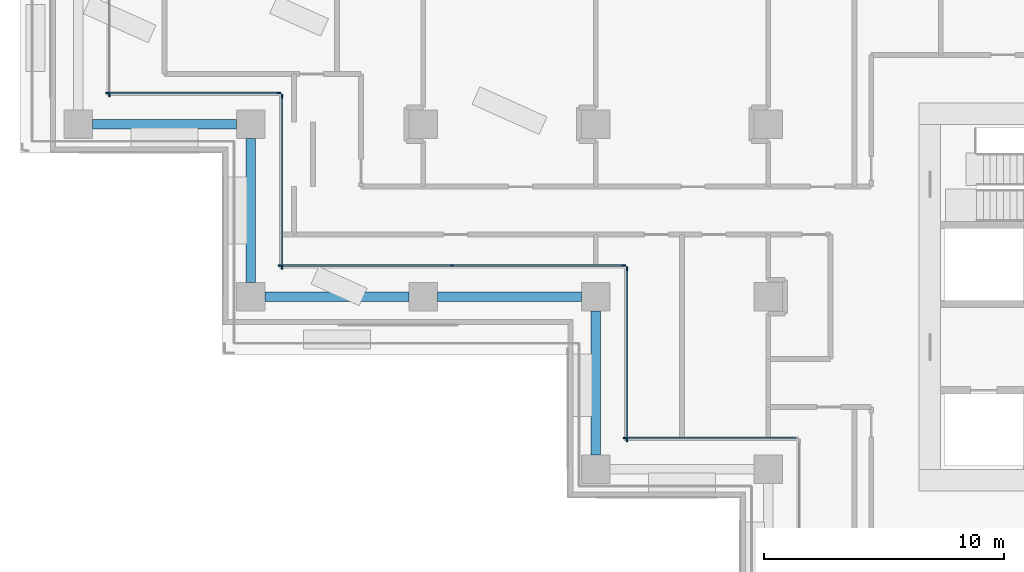
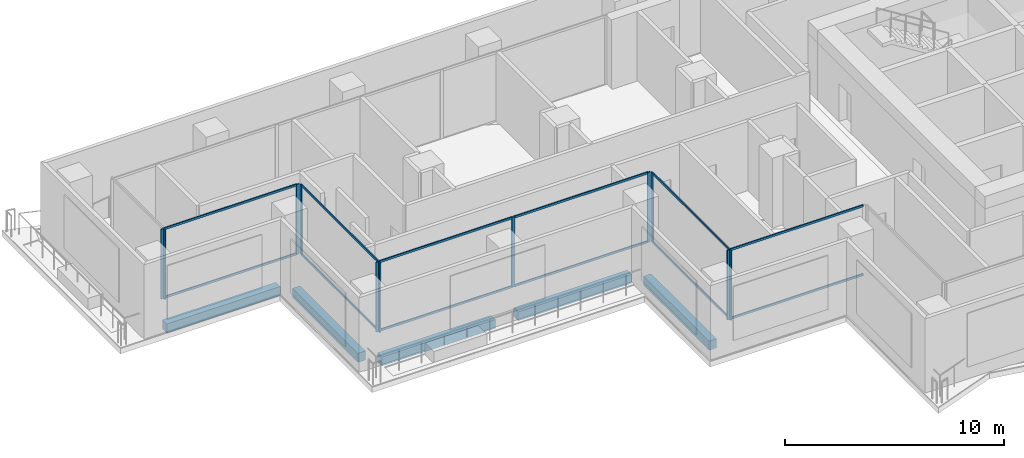
# One storey, part 4 of 24: 23 members, 5 beams, 6 elements without a shape of their own.
"""IFC4 building model written with IfcOpenShell, lengths in metres."""

from ifc_helpers import new_model, si_unit, direction, frame, origin, origin_2d, place, context, subcontext, project, spatial, rectangle, extrude, material, material_profile, profile_set, type_object, element, aggregate, save


model = new_model("IFC4")

# Units and contexts
model_context = context("Model", 3, precision=1e-05, world=origin(), true_north=direction((0.0, 1.0)))
body_context = subcontext(model_context, "Body", "Model", "MODEL_VIEW")
ifc_project = project(units=[si_unit("LENGTHUNIT", "METRE"), si_unit("AREAUNIT", "SQUARE_METRE"), si_unit("VOLUMEUNIT", "CUBIC_METRE"), si_unit("PLANEANGLEUNIT", "RADIAN"), si_unit("MASSUNIT", "GRAM", prefix="KILO")], contexts=[model_context])

# Site, building, storey
site_placement = place(None, origin())
site = spatial("IfcSite", under=ifc_project, at=site_placement, CompositionType="ELEMENT")
building_placement = place(site_placement, origin())
building = spatial("IfcBuilding", under=site, at=building_placement, Name="Windrow Commons", CompositionType="ELEMENT")
storey_placement = place(building_placement, frame((0.0, 0.0, 67.8)))
storey = spatial("IfcBuildingStorey", under=building, at=storey_placement, Name="L18", CompositionType="ELEMENT", Elevation=67.8)

# Curtain wall, member
ifc_material_1 = material(Name="Clear laminated glass in Aluminium 6063-T6 anodised frame", Category="aluminium")
curtain_wall_type = type_object("IfcCurtainWallType", Name="Curtain wall CW2 sky lounge", PredefinedType="USERDEFINED", material=ifc_material_1)
placement = place(storey_placement, origin())
curtain_wall_1 = element("IfcCurtainWall", 1, at=placement, inside=storey, type_object=curtain_wall_type, Name="Curtain wall CW2 L18 5", ObjectType="UNITISED", PredefinedType="USERDEFINED")
ifc_material_2 = material(Name="Aluminium 6063-T6", Category="aluminium")
ifc_material_profile_1 = material_profile(ifc_material_2, rectangle(XDim=0.06, YDim=0.16, at=origin_2d()))
ifc_profile_set_1 = profile_set([ifc_material_profile_1], Name="Aluminium 6063-T6")
member_type_1 = type_object("IfcMemberType", Name="CW2 mullion 60x160", PredefinedType="MULLION", material=ifc_profile_set_1)
member_1_placement = place(storey_placement, frame((22.9, 66.03, 0.0), z_axis=(0.0, 0.0, 1.0), x_axis=(1.0, 0.0, 0.0)))
member_1 = element("IfcMember", 2, at=member_1_placement, type_object=member_type_1, Name="CW2 mullion 2", PredefinedType="MULLION", context=body_context, shape_type="SweptSolid", body=[
    extrude(rectangle(XDim=0.06, YDim=0.16, at=origin_2d()), origin(), (0.0, 0.0, 1.0), 3.9),
])
aggregate(curtain_wall_1, [member_1])

# Curtain wall, members
curtain_wall_2 = element("IfcCurtainWall", 3, at=placement, inside=storey, type_object=curtain_wall_type, Name="Curtain wall CW2 L18 6", ObjectType="UNITISED", PredefinedType="USERDEFINED")
member_2_placement = place(storey_placement, frame((22.83, 66.1, 0.0), z_axis=(0.0, 0.0, 1.0), x_axis=(0.0, 1.0, 0.0)))
member_2 = element("IfcMember", 4, at=member_2_placement, type_object=member_type_1, Name="CW2 mullion 1", PredefinedType="MULLION", context=body_context, shape_type="SweptSolid", body=[
    extrude(rectangle(XDim=0.06, YDim=0.16, at=origin_2d()), origin(), (0.0, 0.0, 1.0), 3.9),
])
member_3_placement = place(storey_placement, frame((29.97, 66.1, 0.0), z_axis=(0.0, 0.0, 1.0), x_axis=(0.0, 1.0, 0.0)))
member_3 = element("IfcMember", 5, at=member_3_placement, type_object=member_type_1, Name="CW2 mullion 2", PredefinedType="MULLION", context=body_context, shape_type="SweptSolid", body=[
    extrude(rectangle(XDim=0.06, YDim=0.16, at=origin_2d()), origin(), (0.0, 0.0, 1.0), 3.9),
])

curtain_wall_3 = element("IfcCurtainWall", 6, at=placement, inside=storey, type_object=curtain_wall_type, Name="Curtain wall CW2 L18 7", ObjectType="UNITISED", PredefinedType="USERDEFINED")
member_4_placement = place(storey_placement, frame((30.1, 65.97, 0.0), z_axis=(0.0, 0.0, 1.0), x_axis=(1.0, 0.0, 0.0)))
member_4 = element("IfcMember", 7, at=member_4_placement, type_object=member_type_1, Name="CW2 mullion 1", PredefinedType="MULLION", context=body_context, shape_type="SweptSolid", body=[
    extrude(rectangle(XDim=0.06, YDim=0.16, at=origin_2d()), origin(), (0.0, 0.0, 1.0), 3.9),
])
member_5_placement = place(storey_placement, frame((30.1, 58.83, 0.0), z_axis=(0.0, 0.0, 1.0), x_axis=(1.0, 0.0, 0.0)))
member_5 = element("IfcMember", 8, at=member_5_placement, type_object=member_type_1, Name="CW2 mullion 2", PredefinedType="MULLION", context=body_context, shape_type="SweptSolid", body=[
    extrude(rectangle(XDim=0.06, YDim=0.16, at=origin_2d()), origin(), (0.0, 0.0, 1.0), 3.9),
])

curtain_wall_4 = element("IfcCurtainWall", 9, at=placement, inside=storey, type_object=curtain_wall_type, Name="Curtain wall CW2 L18 8", ObjectType="UNITISED", PredefinedType="USERDEFINED")
member_6_placement = place(storey_placement, frame((30.03, 58.9, 0.0), z_axis=(0.0, 0.0, 1.0), x_axis=(0.0, 1.0, 0.0)))
member_6 = element("IfcMember", 10, at=member_6_placement, type_object=member_type_1, Name="CW2 mullion 1", PredefinedType="MULLION", context=body_context, shape_type="SweptSolid", body=[
    extrude(rectangle(XDim=0.06, YDim=0.16, at=origin_2d()), origin(), (0.0, 0.0, 1.0), 3.9),
])
member_7_placement = place(storey_placement, frame((37.2, 58.9, 0.0), z_axis=(0.0, 0.0, 1.0), x_axis=(0.0, 1.0, 0.0)))
member_7 = element("IfcMember", 11, at=member_7_placement, type_object=member_type_1, Name="CW2 mullion 2", PredefinedType="MULLION", context=body_context, shape_type="SweptSolid", body=[
    extrude(rectangle(XDim=0.06, YDim=0.16, at=origin_2d()), origin(), (0.0, 0.0, 1.0), 3.9),
])
member_8_placement = place(storey_placement, frame((44.37, 58.9, 0.0), z_axis=(0.0, 0.0, 1.0), x_axis=(0.0, 1.0, 0.0)))
member_8 = element("IfcMember", 12, at=member_8_placement, type_object=member_type_1, Name="CW2 mullion 3", PredefinedType="MULLION", context=body_context, shape_type="SweptSolid", body=[
    extrude(rectangle(XDim=0.06, YDim=0.16, at=origin_2d()), origin(), (0.0, 0.0, 1.0), 3.9),
])

curtain_wall_5 = element("IfcCurtainWall", 13, at=placement, inside=storey, type_object=curtain_wall_type, Name="Curtain wall CW2 L18 9", ObjectType="UNITISED", PredefinedType="USERDEFINED")
member_9_placement = place(storey_placement, frame((44.5, 58.77, 0.0), z_axis=(0.0, 0.0, 1.0), x_axis=(1.0, 0.0, 0.0)))
member_9 = element("IfcMember", 14, at=member_9_placement, type_object=member_type_1, Name="CW2 mullion 1", PredefinedType="MULLION", context=body_context, shape_type="SweptSolid", body=[
    extrude(rectangle(XDim=0.06, YDim=0.16, at=origin_2d()), origin(), (0.0, 0.0, 1.0), 3.9),
])
member_10_placement = place(storey_placement, frame((44.5, 51.63, 0.0), z_axis=(0.0, 0.0, 1.0), x_axis=(1.0, 0.0, 0.0)))
member_10 = element("IfcMember", 15, at=member_10_placement, type_object=member_type_1, Name="CW2 mullion 2", PredefinedType="MULLION", context=body_context, shape_type="SweptSolid", body=[
    extrude(rectangle(XDim=0.06, YDim=0.16, at=origin_2d()), origin(), (0.0, 0.0, 1.0), 3.9),
])

# Curtain wall, member
curtain_wall_6 = element("IfcCurtainWall", 16, at=placement, inside=storey, type_object=curtain_wall_type, Name="Curtain wall CW2 L18 10", ObjectType="UNITISED", PredefinedType="USERDEFINED")
member_11_placement = place(storey_placement, frame((44.43, 51.7, 0.0), z_axis=(0.0, 0.0, 1.0), x_axis=(0.0, 1.0, 0.0)))
member_11 = element("IfcMember", 17, at=member_11_placement, type_object=member_type_1, Name="CW2 mullion 1", PredefinedType="MULLION", context=body_context, shape_type="SweptSolid", body=[
    extrude(rectangle(XDim=0.06, YDim=0.16, at=origin_2d()), origin(), (0.0, 0.0, 1.0), 3.9),
])

# Member
ifc_material_3 = material(Name="Aluminium 6063-T6", Category="aluminium")
ifc_material_profile_2 = material_profile(ifc_material_3, rectangle(XDim=0.06, YDim=0.12, at=origin_2d()))
ifc_profile_set_2 = profile_set([ifc_material_profile_2], Name="Aluminium 6063-T6")
member_type_2 = type_object("IfcMemberType", Name="CW2 transom 60x120", PredefinedType="USERDEFINED", material=ifc_profile_set_2)
member_12_placement = place(storey_placement, frame((22.86, 66.1, 0.03), z_axis=(1.0, 0.0, 0.0), x_axis=(0.0, 1.0, 0.0)))
member_12 = element("IfcMember", 18, at=member_12_placement, type_object=member_type_2, Name="CW2 transom 1.1", ObjectType="TRANSOM", PredefinedType="USERDEFINED", context=body_context, shape_type="SweptSolid", body=[
    extrude(rectangle(XDim=0.06, YDim=0.12, at=origin_2d()), origin(), (0.0, 0.0, 1.0), 7.08),
])

member_13_placement = place(storey_placement, frame((22.86, 66.1, 3.87), z_axis=(1.0, 0.0, 0.0), x_axis=(0.0, 1.0, 0.0)))
member_13 = element("IfcMember", 19, at=member_13_placement, type_object=member_type_2, Name="CW2 transom 1.2", ObjectType="TRANSOM", PredefinedType="USERDEFINED", context=body_context, shape_type="SweptSolid", body=[
    extrude(rectangle(XDim=0.06, YDim=0.12, at=origin_2d()), origin(), (0.0, 0.0, 1.0), 7.08),
])

aggregate(curtain_wall_2, [member_2, member_3, member_12, member_13])

member_14_placement = place(storey_placement, frame((30.1, 65.94, 0.03), z_axis=(0.0, -1.0, 0.0), x_axis=(1.0, 0.0, 0.0)))
member_14 = element("IfcMember", 20, at=member_14_placement, type_object=member_type_2, Name="CW2 transom 1.1", ObjectType="TRANSOM", PredefinedType="USERDEFINED", context=body_context, shape_type="SweptSolid", body=[
    extrude(rectangle(XDim=0.06, YDim=0.12, at=origin_2d()), origin(), (0.0, 0.0, 1.0), 7.08),
])

member_15_placement = place(storey_placement, frame((30.1, 65.94, 3.87), z_axis=(0.0, -1.0, 0.0), x_axis=(1.0, 0.0, 0.0)))
member_15 = element("IfcMember", 21, at=member_15_placement, type_object=member_type_2, Name="CW2 transom 1.2", ObjectType="TRANSOM", PredefinedType="USERDEFINED", context=body_context, shape_type="SweptSolid", body=[
    extrude(rectangle(XDim=0.06, YDim=0.12, at=origin_2d()), origin(), (0.0, 0.0, 1.0), 7.08),
])

aggregate(curtain_wall_3, [member_4, member_5, member_14, member_15])

member_16_placement = place(storey_placement, frame((30.06, 58.9, 0.03), z_axis=(1.0, 0.0, 0.0), x_axis=(0.0, 1.0, 0.0)))
member_16 = element("IfcMember", 22, at=member_16_placement, type_object=member_type_2, Name="CW2 transom 1.1", ObjectType="TRANSOM", PredefinedType="USERDEFINED", context=body_context, shape_type="SweptSolid", body=[
    extrude(rectangle(XDim=0.06, YDim=0.12, at=origin_2d()), origin(), (0.0, 0.0, 1.0), 7.11),
])

member_17_placement = place(storey_placement, frame((30.06, 58.9, 3.87), z_axis=(1.0, 0.0, 0.0), x_axis=(0.0, 1.0, 0.0)))
member_17 = element("IfcMember", 23, at=member_17_placement, type_object=member_type_2, Name="CW2 transom 1.2", ObjectType="TRANSOM", PredefinedType="USERDEFINED", context=body_context, shape_type="SweptSolid", body=[
    extrude(rectangle(XDim=0.06, YDim=0.12, at=origin_2d()), origin(), (0.0, 0.0, 1.0), 7.11),
])

member_18_placement = place(storey_placement, frame((37.23, 58.9, 0.03), z_axis=(1.0, 0.0, 0.0), x_axis=(0.0, 1.0, 0.0)))
member_18 = element("IfcMember", 24, at=member_18_placement, type_object=member_type_2, Name="CW2 transom 2.1", ObjectType="TRANSOM", PredefinedType="USERDEFINED", context=body_context, shape_type="SweptSolid", body=[
    extrude(rectangle(XDim=0.06, YDim=0.12, at=origin_2d()), origin(), (0.0, 0.0, 1.0), 7.11),
])

member_19_placement = place(storey_placement, frame((37.23, 58.9, 3.87), z_axis=(1.0, 0.0, 0.0), x_axis=(0.0, 1.0, 0.0)))
member_19 = element("IfcMember", 25, at=member_19_placement, type_object=member_type_2, Name="CW2 transom 2.2", ObjectType="TRANSOM", PredefinedType="USERDEFINED", context=body_context, shape_type="SweptSolid", body=[
    extrude(rectangle(XDim=0.06, YDim=0.12, at=origin_2d()), origin(), (0.0, 0.0, 1.0), 7.11),
])

aggregate(curtain_wall_4, [member_6, member_7, member_8, member_16, member_17, member_18, member_19])

member_20_placement = place(storey_placement, frame((44.5, 58.74, 0.03), z_axis=(0.0, -1.0, 0.0), x_axis=(1.0, 0.0, 0.0)))
member_20 = element("IfcMember", 26, at=member_20_placement, type_object=member_type_2, Name="CW2 transom 1.1", ObjectType="TRANSOM", PredefinedType="USERDEFINED", context=body_context, shape_type="SweptSolid", body=[
    extrude(rectangle(XDim=0.06, YDim=0.12, at=origin_2d()), origin(), (0.0, 0.0, 1.0), 7.08),
])

member_21_placement = place(storey_placement, frame((44.5, 58.74, 3.87), z_axis=(0.0, -1.0, 0.0), x_axis=(1.0, 0.0, 0.0)))
member_21 = element("IfcMember", 27, at=member_21_placement, type_object=member_type_2, Name="CW2 transom 1.2", ObjectType="TRANSOM", PredefinedType="USERDEFINED", context=body_context, shape_type="SweptSolid", body=[
    extrude(rectangle(XDim=0.06, YDim=0.12, at=origin_2d()), origin(), (0.0, 0.0, 1.0), 7.08),
])

aggregate(curtain_wall_5, [member_9, member_10, member_20, member_21])

member_22_placement = place(storey_placement, frame((44.46, 51.7, 0.03), z_axis=(1.0, 0.0, 0.0), x_axis=(0.0, 1.0, 0.0)))
member_22 = element("IfcMember", 28, at=member_22_placement, type_object=member_type_2, Name="CW2 transom 1.1", ObjectType="TRANSOM", PredefinedType="USERDEFINED", context=body_context, shape_type="SweptSolid", body=[
    extrude(rectangle(XDim=0.06, YDim=0.12, at=origin_2d()), origin(), (0.0, 0.0, 1.0), 7.08),
])

member_23_placement = place(storey_placement, frame((44.46, 51.7, 3.87), z_axis=(1.0, 0.0, 0.0), x_axis=(0.0, 1.0, 0.0)))
member_23 = element("IfcMember", 29, at=member_23_placement, type_object=member_type_2, Name="CW2 transom 1.2", ObjectType="TRANSOM", PredefinedType="USERDEFINED", context=body_context, shape_type="SweptSolid", body=[
    extrude(rectangle(XDim=0.06, YDim=0.12, at=origin_2d()), origin(), (0.0, 0.0, 1.0), 7.08),
])

aggregate(curtain_wall_6, [member_11, member_22, member_23])

# Beams
ifc_material_4 = material(Name="Concrete C60/75", Category="concrete")
ifc_material_profile_3 = material_profile(ifc_material_4, rectangle(XDim=0.4, YDim=0.5, at=origin_2d()))
ifc_profile_set_3 = profile_set([ifc_material_profile_3], Name="Concrete C60/75")
beam_type = type_object("IfcBeamType", Name="RC EDGE BEAM 400x500 C60/75", PredefinedType="SPANDREL", material=ifc_profile_set_3)
for number, where, z_axis, x_axis, name in (
    (30, (35.4, 57.6, -0.55), (-1.0, 0.0, 0.0), (0.0, -1.0, 0.0), "Edge beam L18 001"),
    (31, (28.8, 58.2, -0.55), (0.0, 1.0, 0.0), (-1.0, 0.0, 0.0), "Edge beam L18 002"),
    (32, (28.2, 64.8, -0.55), (-1.0, 0.0, 0.0), (0.0, -1.0, 0.0), "Edge beam L18 003"),
    (33, (43.2, 51.0, -0.55), (0.0, 1.0, 0.0), (-1.0, 0.0, 0.0), "Edge beam L18 030"),
    (34, (42.6, 57.6, -0.55), (-1.0, 0.0, 0.0), (0.0, -1.0, 0.0), "Edge beam L18 031"),
):
    element("IfcBeam", number, at=place(storey_placement, frame(where, z_axis=z_axis, x_axis=x_axis)), inside=storey, type_object=beam_type, Name=name, PredefinedType="SPANDREL", context=body_context, shape_type="SweptSolid", body=[
        extrude(rectangle(XDim=0.4, YDim=0.5, at=origin_2d()), origin(), (0.0, 0.0, 1.0), 6.0),
    ])

save(model, "model.ifc")
